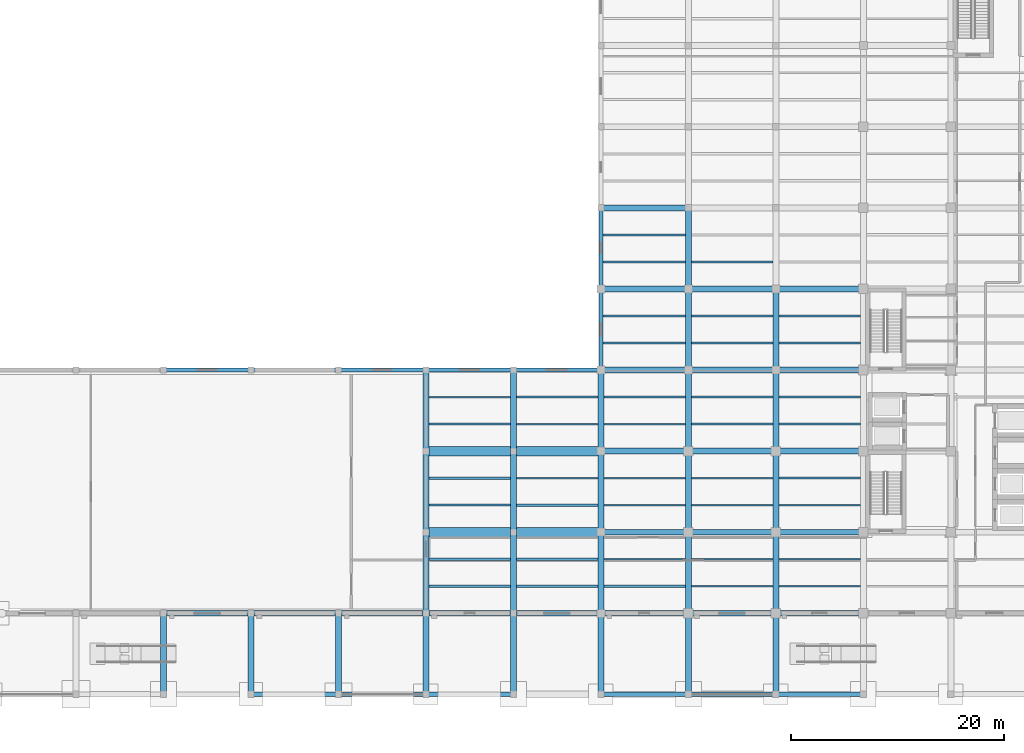
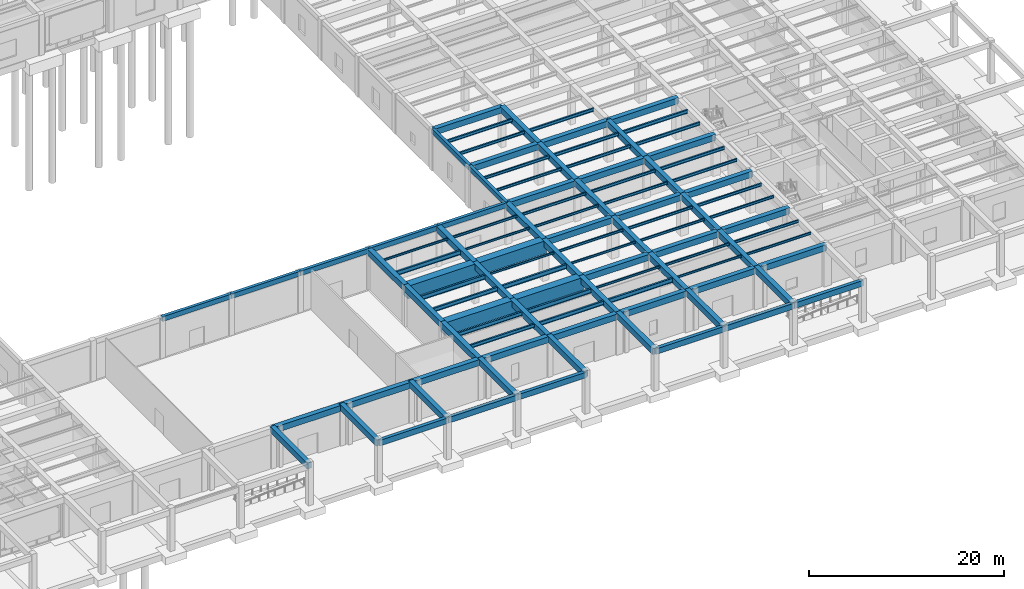
# One storey, part 18 of 64: 101 beams.
"""IFC4 building model written with IfcOpenShell, lengths in metres."""

from ifc_helpers import new_model, si_unit, direction, frame, origin, origin_2d, place, context, subcontext, project, spatial, rectangle, i_section, extrude, material, material_profile, profile_set, type_object, element, save


model = new_model("IFC4")

# Units and contexts
model_context = context("Model", 3, precision=1e-05, world=origin(), true_north=direction((0.0, 1.0)))
body_context = subcontext(model_context, "Body", "Model", "MODEL_VIEW")
ifc_project = project(units=[si_unit("LENGTHUNIT", "METRE"), si_unit("AREAUNIT", "SQUARE_METRE"), si_unit("VOLUMEUNIT", "CUBIC_METRE"), si_unit("PLANEANGLEUNIT", "RADIAN"), si_unit("MASSUNIT", "GRAM", prefix="KILO")], contexts=[model_context])

# Site, building, storey
site_placement = place(None, origin())
site = spatial("IfcSite", under=ifc_project, at=site_placement, CompositionType="ELEMENT")
building_placement = place(site_placement, origin())
building = spatial("IfcBuilding", under=site, at=building_placement, Name="Qandaris Square Conservatory and Botanical Centre", CompositionType="ELEMENT")
storey_placement = place(building_placement, origin())
storey = spatial("IfcBuildingStorey", under=building, at=storey_placement, Name="L00", CompositionType="ELEMENT", Elevation=0.0)

# Beams
ifc_material_1 = material(Name="Steel S355", Category="steel")
ifc_material_profile_1 = material_profile(ifc_material_1, i_section(OverallWidth=0.18994140625, OverallDepth=0.449951171875, WebThickness=0.009521484375, FlangeThickness=0.0146484375, FilletRadius=0.02099609375, at=origin_2d()), Name="IPE 450")
ifc_profile_set_1 = profile_set([ifc_material_profile_1], Name="Steel S355")
beam_type_1 = type_object("IfcBeamType", Name="Composite Archive Joist IPE 450", PredefinedType="JOIST", material=ifc_profile_set_1)
beam_1_placement = place(storey_placement, frame((98.47509765625, 19.13330078125, 4.864990234375), z_axis=(1.0, 0.0, 0.0), x_axis=(0.0, 1.0, 0.0)))
element("IfcBeam", 1, at=beam_1_placement, inside=storey, type_object=beam_type_1, Name="L00 Composite Joist 0741", PredefinedType="JOIST", context=body_context, shape_type="SweptSolid", body=[
    extrude(i_section(OverallWidth=0.18994140625, OverallDepth=0.449951171875, WebThickness=0.009521484375, FlangeThickness=0.0146484375, FilletRadius=0.02099609375, at=origin_2d()), origin(), (0.0, 0.0, 1.0), 7.64990234375),
])
beam_2_placement = place(storey_placement, frame((131.27490234375, 44.466796875, 4.864990234375), z_axis=(1.0, 0.0, 0.0), x_axis=(0.0, 1.0, 0.0)))
element("IfcBeam", 2, at=beam_2_placement, inside=storey, type_object=beam_type_1, Name="L00 Composite Joist 0820", PredefinedType="JOIST", context=body_context, shape_type="SweptSolid", body=[
    extrude(i_section(OverallWidth=0.18994140625, OverallDepth=0.449951171875, WebThickness=0.009521484375, FlangeThickness=0.0146484375, FilletRadius=0.02099609375, at=origin_2d()), origin(), (0.0, 0.0, 1.0), 7.650146484375),
])
ifc_material_profile_2 = material_profile(ifc_material_1, i_section(OverallWidth=0.199951171875, OverallDepth=0.5, WebThickness=0.01025390625, FlangeThickness=0.01611328125, FilletRadius=0.02099609375, at=origin_2d()), Name="IPE 500")
ifc_profile_set_2 = profile_set([ifc_material_profile_2], Name="Steel S355")
beam_type_2 = type_object("IfcBeamType", Name="Composite Gallery Joist IPE 500", PredefinedType="JOIST", material=ifc_profile_set_2)
for number, where, z_axis, x_axis, name in (
    (3, (98.47509765625, 21.666748046875, 4.840087890625), (1.0, 0.0, 0.0), (0.0, 1.0, 0.0), "L00 Composite Joist 0742"),
    (4, (98.47509765625, 26.7333984375, 4.840087890625), (1.0, 0.0, 0.0), (0.0, 1.0, 0.0), "L00 Composite Joist 0743"),
    (5, (106.675048828125, 19.13330078125, 4.840087890625), (1.0, 0.0, 0.0), (0.0, 1.0, 0.0), "L00 Composite Joist 0753"),
):
    element("IfcBeam", number, at=place(storey_placement, frame(where, z_axis=z_axis, x_axis=x_axis)), inside=storey, type_object=beam_type_2, Name=name, PredefinedType="JOIST", context=body_context, shape_type="SweptSolid", body=[
        extrude(i_section(OverallWidth=0.199951171875, OverallDepth=0.5, WebThickness=0.01025390625, FlangeThickness=0.01611328125, FilletRadius=0.02099609375, at=origin_2d()), origin(), (0.0, 0.0, 1.0), 7.64990234375),
    ])
ifc_material_profile_3 = material_profile(ifc_material_1, i_section(OverallWidth=0.14990234375, OverallDepth=0.300048828125, WebThickness=0.007080078125, FlangeThickness=0.0107421875, FilletRadius=0.014892578125, at=origin_2d()), Name="IPE 300")
ifc_profile_set_3 = profile_set([ifc_material_profile_3], Name="Steel S355")
beam_type_3 = type_object("IfcBeamType", Name="Composite Lab Joist IPE 300", PredefinedType="JOIST", material=ifc_profile_set_3)
for number, where, z_axis, x_axis, name in (
    (6, (106.675048828125, 36.86669921875, 4.93994140625), (1.0, 0.0, 0.0), (0.0, 1.0, 0.0), "L00 Composite Joist 0758"),
    (7, (114.875, 29.2666015625, 4.93994140625), (1.0, 0.0, 0.0), (0.0, 1.0, 0.0), "L00 Composite Joist 0768"),
    (8, (114.875, 34.333251953125, 4.93994140625), (1.0, 0.0, 0.0), (0.0, 1.0, 0.0), "L00 Composite Joist 0769"),
):
    element("IfcBeam", number, at=place(storey_placement, frame(where, z_axis=z_axis, x_axis=x_axis)), inside=storey, type_object=beam_type_3, Name=name, PredefinedType="JOIST", context=body_context, shape_type="SweptSolid", body=[
        extrude(i_section(OverallWidth=0.14990234375, OverallDepth=0.300048828125, WebThickness=0.007080078125, FlangeThickness=0.0107421875, FilletRadius=0.014892578125, at=origin_2d()), origin(), (0.0, 0.0, 1.0), 7.64990234375),
    ])
for number, where, z_axis, x_axis, name in (
    (9, (123.074951171875, 21.666748046875, 4.93994140625), (1.0, 0.0, 0.0), (0.0, 1.0, 0.0), "L00 Composite Joist 0790"),
    (10, (123.074951171875, 26.7333984375, 4.93994140625), (1.0, 0.0, 0.0), (0.0, 1.0, 0.0), "L00 Composite Joist 0791"),
    (11, (131.27490234375, 19.13330078125, 4.93994140625), (1.0, 0.0, 0.0), (0.0, 1.0, 0.0), "L00 Composite Joist 0813"),
):
    element("IfcBeam", number, at=place(storey_placement, frame(where, z_axis=z_axis, x_axis=x_axis)), inside=storey, type_object=beam_type_3, Name=name, PredefinedType="JOIST", context=body_context, shape_type="SweptSolid", body=[
        extrude(i_section(OverallWidth=0.14990234375, OverallDepth=0.300048828125, WebThickness=0.007080078125, FlangeThickness=0.0107421875, FilletRadius=0.014892578125, at=origin_2d()), origin(), (0.0, 0.0, 1.0), 7.650146484375),
    ])
ifc_material_profile_4 = material_profile(ifc_material_1, i_section(OverallWidth=0.159912109375, OverallDepth=0.330078125, WebThickness=0.007568359375, FlangeThickness=0.011474609375, FilletRadius=0.01806640625, at=origin_2d()), Name="IPE 330")
ifc_profile_set_4 = profile_set([ifc_material_profile_4], Name="Steel S355")
beam_type_4 = type_object("IfcBeamType", Name="Composite Lab Joist IPE 330", PredefinedType="JOIST", material=ifc_profile_set_4)
beam_3_placement = place(storey_placement, frame((114.875, 36.86669921875, 4.925048828125), z_axis=(1.0, 0.0, 0.0), x_axis=(0.0, 1.0, 0.0)))
element("IfcBeam", 12, at=beam_3_placement, inside=storey, type_object=beam_type_4, Name="L00 Composite Joist 0770", PredefinedType="JOIST", context=body_context, shape_type="SweptSolid", body=[
    extrude(i_section(OverallWidth=0.159912109375, OverallDepth=0.330078125, WebThickness=0.007568359375, FlangeThickness=0.011474609375, FilletRadius=0.01806640625, at=origin_2d()), origin(), (0.0, 0.0, 1.0), 7.64990234375),
])
beam_4_placement = place(storey_placement, frame((114.77490234375, 41.933349609375, 4.925048828125), z_axis=(1.0, 0.0, 0.0), x_axis=(0.0, 1.0, 0.0)))
element("IfcBeam", 13, at=beam_4_placement, inside=storey, type_object=beam_type_4, Name="L00 Composite Joist 0771", PredefinedType="JOIST", context=body_context, shape_type="SweptSolid", body=[
    extrude(i_section(OverallWidth=0.159912109375, OverallDepth=0.330078125, WebThickness=0.007568359375, FlangeThickness=0.011474609375, FilletRadius=0.01806640625, at=origin_2d()), origin(), (0.0, 0.0, 1.0), 7.75),
])
for number, where, z_axis, x_axis, name in (
    (14, (123.074951171875, 29.2666015625, 4.925048828125), (1.0, 0.0, 0.0), (0.0, 1.0, 0.0), "L00 Composite Joist 0792"),
    (15, (123.074951171875, 34.333251953125, 4.925048828125), (1.0, 0.0, 0.0), (0.0, 1.0, 0.0), "L00 Composite Joist 0793"),
    (16, (131.27490234375, 21.666748046875, 4.925048828125), (1.0, 0.0, 0.0), (0.0, 1.0, 0.0), "L00 Composite Joist 0814"),
    (17, (131.27490234375, 26.7333984375, 4.925048828125), (1.0, 0.0, 0.0), (0.0, 1.0, 0.0), "L00 Composite Joist 0815"),
):
    element("IfcBeam", number, at=place(storey_placement, frame(where, z_axis=z_axis, x_axis=x_axis)), inside=storey, type_object=beam_type_4, Name=name, PredefinedType="JOIST", context=body_context, shape_type="SweptSolid", body=[
        extrude(i_section(OverallWidth=0.159912109375, OverallDepth=0.330078125, WebThickness=0.007568359375, FlangeThickness=0.011474609375, FilletRadius=0.01806640625, at=origin_2d()), origin(), (0.0, 0.0, 1.0), 7.650146484375),
    ])
ifc_material_profile_5 = material_profile(ifc_material_1, i_section(OverallWidth=0.169921875, OverallDepth=0.360107421875, WebThickness=0.008056640625, FlangeThickness=0.0126953125, FilletRadius=0.01806640625, at=origin_2d()), Name="IPE 360")
ifc_profile_set_5 = profile_set([ifc_material_profile_5], Name="Steel S355")
beam_type_5 = type_object("IfcBeamType", Name="Composite Lab Joist IPE 360", PredefinedType="JOIST", material=ifc_profile_set_5)
for number, where, z_axis, x_axis, name in (
    (18, (114.77490234375, 44.466796875, 4.909912109375), (1.0, 0.0, 0.0), (0.0, 1.0, 0.0), "L00 Composite Joist 0772"),
    (19, (114.77490234375, 49.533203125, 4.909912109375), (1.0, 0.0, 0.0), (0.0, 1.0, 0.0), "L00 Composite Joist 0773"),
):
    element("IfcBeam", number, at=place(storey_placement, frame(where, z_axis=z_axis, x_axis=x_axis)), inside=storey, type_object=beam_type_5, Name=name, PredefinedType="JOIST", context=body_context, shape_type="SweptSolid", body=[
        extrude(i_section(OverallWidth=0.169921875, OverallDepth=0.360107421875, WebThickness=0.008056640625, FlangeThickness=0.0126953125, FilletRadius=0.01806640625, at=origin_2d()), origin(), (0.0, 0.0, 1.0), 7.75),
    ])
for number, where, z_axis, x_axis, name in (
    (20, (123.074951171875, 36.86669921875, 4.909912109375), (1.0, 0.0, 0.0), (0.0, 1.0, 0.0), "L00 Composite Joist 0794"),
    (21, (123.074951171875, 41.933349609375, 4.909912109375), (1.0, 0.0, 0.0), (0.0, 1.0, 0.0), "L00 Composite Joist 0795"),
    (22, (131.27490234375, 29.2666015625, 4.909912109375), (1.0, 0.0, 0.0), (0.0, 1.0, 0.0), "L00 Composite Joist 0816"),
    (23, (131.27490234375, 34.333251953125, 4.909912109375), (1.0, 0.0, 0.0), (0.0, 1.0, 0.0), "L00 Composite Joist 0817"),
):
    element("IfcBeam", number, at=place(storey_placement, frame(where, z_axis=z_axis, x_axis=x_axis)), inside=storey, type_object=beam_type_5, Name=name, PredefinedType="JOIST", context=body_context, shape_type="SweptSolid", body=[
        extrude(i_section(OverallWidth=0.169921875, OverallDepth=0.360107421875, WebThickness=0.008056640625, FlangeThickness=0.0126953125, FilletRadius=0.01806640625, at=origin_2d()), origin(), (0.0, 0.0, 1.0), 7.650146484375),
    ])
ifc_material_profile_6 = material_profile(ifc_material_1, i_section(OverallWidth=0.179931640625, OverallDepth=0.39990234375, WebThickness=0.008544921875, FlangeThickness=0.013427734375, FilletRadius=0.02099609375, at=origin_2d()), Name="IPE 400")
ifc_profile_set_6 = profile_set([ifc_material_profile_6], Name="Steel S355")
beam_type_6 = type_object("IfcBeamType", Name="Composite Plinth Joist IPE 400", PredefinedType="JOIST", material=ifc_profile_set_6)
beam_5_placement = place(storey_placement, frame((114.77490234375, 52.066650390625, 4.889892578125), z_axis=(1.0, 0.0, 0.0), x_axis=(0.0, 1.0, 0.0)))
element("IfcBeam", 24, at=beam_5_placement, inside=storey, type_object=beam_type_6, Name="L00 Composite Joist 0774", PredefinedType="JOIST", context=body_context, shape_type="SweptSolid", body=[
    extrude(i_section(OverallWidth=0.179931640625, OverallDepth=0.39990234375, WebThickness=0.008544921875, FlangeThickness=0.013427734375, FilletRadius=0.02099609375, at=origin_2d()), origin(), (0.0, 0.0, 1.0), 7.75),
])
for number, where, z_axis, x_axis, name in (
    (25, (123.074951171875, 44.466796875, 4.889892578125), (1.0, 0.0, 0.0), (0.0, 1.0, 0.0), "L00 Composite Joist 0796"),
    (26, (123.074951171875, 49.533203125, 4.889892578125), (1.0, 0.0, 0.0), (0.0, 1.0, 0.0), "L00 Composite Joist 0797"),
    (27, (131.27490234375, 36.86669921875, 4.889892578125), (1.0, 0.0, 0.0), (0.0, 1.0, 0.0), "L00 Composite Joist 0818"),
    (28, (131.27490234375, 41.933349609375, 4.889892578125), (1.0, 0.0, 0.0), (0.0, 1.0, 0.0), "L00 Composite Joist 0819"),
):
    element("IfcBeam", number, at=place(storey_placement, frame(where, z_axis=z_axis, x_axis=x_axis)), inside=storey, type_object=beam_type_6, Name=name, PredefinedType="JOIST", context=body_context, shape_type="SweptSolid", body=[
        extrude(i_section(OverallWidth=0.179931640625, OverallDepth=0.39990234375, WebThickness=0.008544921875, FlangeThickness=0.013427734375, FilletRadius=0.02099609375, at=origin_2d()), origin(), (0.0, 0.0, 1.0), 7.650146484375),
    ])
ifc_material_profile_7 = material_profile(ifc_material_1, i_section(OverallWidth=0.2099609375, OverallDepth=0.550048828125, WebThickness=0.010986328125, FlangeThickness=0.01708984375, FilletRadius=0.02392578125, at=origin_2d()), Name="IPE 550")
ifc_profile_set_7 = profile_set([ifc_material_profile_7], Name="Steel S355")
beam_type_7 = type_object("IfcBeamType", Name="Long-Span Foyer Joist IPE 550", PredefinedType="JOIST", material=ifc_profile_set_7)
for number, where, z_axis, x_axis, name in (
    (29, (98.47509765625, 29.2666015625, 4.81494140625), (1.0, 0.0, 0.0), (0.0, 1.0, 0.0), "L00 Composite Joist 0744"),
    (30, (98.47509765625, 34.333251953125, 4.81494140625), (1.0, 0.0, 0.0), (0.0, 1.0, 0.0), "L00 Composite Joist 0745"),
    (31, (106.675048828125, 21.666748046875, 4.81494140625), (1.0, 0.0, 0.0), (0.0, 1.0, 0.0), "L00 Composite Joist 0754"),
    (32, (106.675048828125, 26.7333984375, 4.81494140625), (1.0, 0.0, 0.0), (0.0, 1.0, 0.0), "L00 Composite Joist 0755"),
    (33, (114.875, 19.13330078125, 4.81494140625), (1.0, 0.0, 0.0), (0.0, 1.0, 0.0), "L00 Composite Joist 0765"),
):
    element("IfcBeam", number, at=place(storey_placement, frame(where, z_axis=z_axis, x_axis=x_axis)), inside=storey, type_object=beam_type_7, Name=name, PredefinedType="JOIST", context=body_context, shape_type="SweptSolid", body=[
        extrude(i_section(OverallWidth=0.2099609375, OverallDepth=0.550048828125, WebThickness=0.010986328125, FlangeThickness=0.01708984375, FilletRadius=0.02392578125, at=origin_2d()), origin(), (0.0, 0.0, 1.0), 7.64990234375),
    ])
ifc_material_2 = material(Name="Concrete C50/60", Category="concrete")
ifc_material_profile_8 = material_profile(ifc_material_2, rectangle(XDim=0.39990234375, YDim=0.699951171875, at=origin_2d()), Name="RC-SP 400x700")
ifc_profile_set_8 = profile_set([ifc_material_profile_8], Name="Concrete C50/60")
beam_type_8 = type_object("IfcBeamType", Name="RC Colonnade Spandrel Beam 400x700", PredefinedType="SPANDREL", material=ifc_profile_set_8)
for number, where, z_axis, x_axis, name in (
    (34, (81.800048828125, 9.0, 4.824951171875), (1.0, 0.0, 0.0), (0.0, 1.0, 0.0), "L00 Frame Beam 0325"),
    (35, (90.0, 9.0, 4.824951171875), (1.0, 0.0, 0.0), (0.0, 1.0, 0.0), "L00 Frame Beam 0326"),
    (36, (98.199951171875, 9.0, 4.824951171875), (1.0, 0.0, 0.0), (0.0, 1.0, 0.0), "L00 Frame Beam 0327"),
    (37, (114.60009765625, 9.0, 4.824951171875), (1.0, 0.0, 0.0), (0.0, 1.0, 0.0), "L00 Frame Beam 0328"),
    (38, (122.800048828125, 9.0, 4.824951171875), (1.0, 0.0, 0.0), (0.0, 1.0, 0.0), "L00 Frame Beam 0329"),
    (39, (131.0, 9.0, 4.824951171875), (1.0, 0.0, 0.0), (0.0, 1.0, 0.0), "L00 Frame Beam 0330"),
):
    element("IfcBeam", number, at=place(storey_placement, frame(where, z_axis=z_axis, x_axis=x_axis)), inside=storey, type_object=beam_type_8, Name=name, PredefinedType="SPANDREL", context=body_context, shape_type="SweptSolid", body=[
        extrude(rectangle(XDim=0.39990234375, YDim=0.699951171875, at=origin_2d()), origin(), (0.0, 0.0, 1.0), 8.199951171875),
    ])
ifc_material_profile_9 = material_profile(ifc_material_2, rectangle(XDim=0.35009765625, YDim=0.60009765625, at=origin_2d()), Name="RC-SP 350x600")
ifc_profile_set_9 = profile_set([ifc_material_profile_9], Name="Concrete C50/60")
beam_type_9 = type_object("IfcBeamType", Name="RC Edge Spandrel Beam 350x600", PredefinedType="SPANDREL", material=ifc_profile_set_9)
for number, where, z_axis, x_axis, name in (
    (40, (73.60009765625, 39.39990234375, 4.800048828125), (1.0, 0.0, 0.0), (0.0, 1.0, 0.0), "L00 Frame Beam 0380"),
    (41, (81.800048828125, 39.39990234375, 4.800048828125), (1.0, 0.0, 0.0), (0.0, 1.0, 0.0), "L00 Frame Beam 0381"),
    (42, (90.0, 39.39990234375, 4.800048828125), (1.0, 0.0, 0.0), (0.0, 1.0, 0.0), "L00 Frame Beam 0382"),
    (43, (98.199951171875, 39.39990234375, 4.800048828125), (1.0, 0.0, 0.0), (0.0, 1.0, 0.0), "L00 Frame Beam 0383"),
):
    element("IfcBeam", number, at=place(storey_placement, frame(where, z_axis=z_axis, x_axis=x_axis)), inside=storey, type_object=beam_type_9, Name=name, PredefinedType="SPANDREL", context=body_context, shape_type="SweptSolid", body=[
        extrude(rectangle(XDim=0.35009765625, YDim=0.60009765625, at=origin_2d()), origin(), (0.0, 0.0, 1.0), 8.199951171875),
    ])
beam_6_placement = place(storey_placement, frame((106.39990234375, 39.39990234375, 4.800048828125), z_axis=(1.0, 0.0, 0.0), x_axis=(0.0, 1.0, 0.0)))
element("IfcBeam", 44, at=beam_6_placement, inside=storey, type_object=beam_type_9, Name="L00 Frame Beam 0384", PredefinedType="SPANDREL", context=body_context, shape_type="SweptSolid", body=[
    extrude(rectangle(XDim=0.35009765625, YDim=0.60009765625, at=origin_2d()), origin(), (0.0, 0.0, 1.0), 8.2001953125),
])
for number, where, z_axis, x_axis, name in (
    (45, (114.60009765625, 39.39990234375, 4.800048828125), (0.0, 1.0, 0.0), (-1.0, 0.0, 0.0), "L00 Frame Beam 0593"),
    (46, (114.60009765625, 47.0, 4.800048828125), (0.0, 1.0, 0.0), (-1.0, 0.0, 0.0), "L00 Frame Beam 0594"),
):
    element("IfcBeam", number, at=place(storey_placement, frame(where, z_axis=z_axis, x_axis=x_axis)), inside=storey, type_object=beam_type_9, Name=name, PredefinedType="SPANDREL", context=body_context, shape_type="SweptSolid", body=[
        extrude(rectangle(XDim=0.35009765625, YDim=0.60009765625, at=origin_2d()), origin(), (0.0, 0.0, 1.0), 7.60009765625),
    ])
ifc_material_profile_10 = material_profile(ifc_material_2, rectangle(XDim=0.550048828125, YDim=0.75, at=origin_2d()), Name="RC-BM 550x750")
ifc_profile_set_10 = profile_set([ifc_material_profile_10], Name="Concrete C50/60")
beam_type_10 = type_object("IfcBeamType", Name="RC Plinth Girder 550x750", PredefinedType="BEAM", material=ifc_profile_set_10)
for number, where, z_axis, x_axis, name in (
    (47, (73.60009765625, 16.60009765625, 4.72509765625), (1.0, 0.0, 0.0), (0.0, 1.0, 0.0), "L00 Frame Beam 0342"),
    (48, (81.800048828125, 16.60009765625, 4.72509765625), (1.0, 0.0, 0.0), (0.0, 1.0, 0.0), "L00 Frame Beam 0343"),
    (49, (90.0, 16.60009765625, 4.72509765625), (1.0, 0.0, 0.0), (0.0, 1.0, 0.0), "L00 Frame Beam 0344"),
    (50, (98.199951171875, 16.60009765625, 4.72509765625), (1.0, 0.0, 0.0), (0.0, 1.0, 0.0), "L00 Frame Beam 0345"),
):
    element("IfcBeam", number, at=place(storey_placement, frame(where, z_axis=z_axis, x_axis=x_axis)), inside=storey, type_object=beam_type_10, Name=name, PredefinedType="BEAM", context=body_context, shape_type="SweptSolid", body=[
        extrude(rectangle(XDim=0.550048828125, YDim=0.75, at=origin_2d()), origin(), (0.0, 0.0, 1.0), 8.199951171875),
    ])
beam_7_placement = place(storey_placement, frame((106.39990234375, 16.60009765625, 4.72509765625), z_axis=(1.0, 0.0, 0.0), x_axis=(0.0, 1.0, 0.0)))
element("IfcBeam", 51, at=beam_7_placement, inside=storey, type_object=beam_type_10, Name="L00 Frame Beam 0346", PredefinedType="BEAM", context=body_context, shape_type="SweptSolid", body=[
    extrude(rectangle(XDim=0.550048828125, YDim=0.75, at=origin_2d()), origin(), (0.0, 0.0, 1.0), 8.2001953125),
])
for number, where, z_axis, x_axis, name in (
    (52, (114.60009765625, 16.60009765625, 4.72509765625), (1.0, 0.0, 0.0), (0.0, 1.0, 0.0), "L00 Frame Beam 0347"),
    (53, (122.800048828125, 16.60009765625, 4.72509765625), (1.0, 0.0, 0.0), (0.0, 1.0, 0.0), "L00 Frame Beam 0348"),
    (54, (131.0, 16.60009765625, 4.72509765625), (1.0, 0.0, 0.0), (0.0, 1.0, 0.0), "L00 Frame Beam 0349"),
    (55, (114.60009765625, 24.199951171875, 4.72509765625), (1.0, 0.0, 0.0), (0.0, 1.0, 0.0), "L00 Frame Beam 0358"),
    (56, (122.800048828125, 24.199951171875, 4.72509765625), (1.0, 0.0, 0.0), (0.0, 1.0, 0.0), "L00 Frame Beam 0359"),
    (57, (131.0, 24.199951171875, 4.72509765625), (1.0, 0.0, 0.0), (0.0, 1.0, 0.0), "L00 Frame Beam 0360"),
    (58, (114.60009765625, 31.800048828125, 4.72509765625), (1.0, 0.0, 0.0), (0.0, 1.0, 0.0), "L00 Frame Beam 0369"),
    (59, (122.800048828125, 31.800048828125, 4.72509765625), (1.0, 0.0, 0.0), (0.0, 1.0, 0.0), "L00 Frame Beam 0370"),
    (60, (131.0, 31.800048828125, 4.72509765625), (1.0, 0.0, 0.0), (0.0, 1.0, 0.0), "L00 Frame Beam 0371"),
    (61, (114.60009765625, 39.39990234375, 4.72509765625), (1.0, 0.0, 0.0), (0.0, 1.0, 0.0), "L00 Frame Beam 0385"),
    (62, (122.800048828125, 39.39990234375, 4.72509765625), (1.0, 0.0, 0.0), (0.0, 1.0, 0.0), "L00 Frame Beam 0386"),
    (63, (131.0, 39.39990234375, 4.72509765625), (1.0, 0.0, 0.0), (0.0, 1.0, 0.0), "L00 Frame Beam 0387"),
    (64, (114.60009765625, 47.0, 4.72509765625), (1.0, 0.0, 0.0), (0.0, 1.0, 0.0), "L00 Frame Beam 0396"),
    (65, (122.800048828125, 47.0, 4.72509765625), (1.0, 0.0, 0.0), (0.0, 1.0, 0.0), "L00 Frame Beam 0397"),
    (66, (131.0, 47.0, 4.72509765625), (1.0, 0.0, 0.0), (0.0, 1.0, 0.0), "L00 Frame Beam 0398"),
    (67, (114.60009765625, 54.60009765625, 4.72509765625), (1.0, 0.0, 0.0), (0.0, 1.0, 0.0), "L00 Frame Beam 0404"),
):
    element("IfcBeam", number, at=place(storey_placement, frame(where, z_axis=z_axis, x_axis=x_axis)), inside=storey, type_object=beam_type_10, Name=name, PredefinedType="BEAM", context=body_context, shape_type="SweptSolid", body=[
        extrude(rectangle(XDim=0.550048828125, YDim=0.75, at=origin_2d()), origin(), (0.0, 0.0, 1.0), 8.199951171875),
    ])
for number, where, z_axis, x_axis, name in (
    (68, (73.60009765625, 9.0, 4.800048828125), (0.0, 1.0, 0.0), (-1.0, 0.0, 0.0), "L00 Frame Beam 0563"),
    (69, (81.800048828125, 9.0, 4.800048828125), (0.0, 1.0, 0.0), (-1.0, 0.0, 0.0), "L00 Frame Beam 0567"),
    (70, (90.0, 9.0, 4.800048828125), (0.0, 1.0, 0.0), (-1.0, 0.0, 0.0), "L00 Frame Beam 0571"),
    (71, (98.199951171875, 9.0, 4.800048828125), (0.0, 1.0, 0.0), (-1.0, 0.0, 0.0), "L00 Frame Beam 0575"),
):
    element("IfcBeam", number, at=place(storey_placement, frame(where, z_axis=z_axis, x_axis=x_axis)), inside=storey, type_object=beam_type_10, Name=name, PredefinedType="BEAM", context=body_context, shape_type="SweptSolid", body=[
        extrude(rectangle(XDim=0.550048828125, YDim=0.75, at=origin_2d()), origin(), (0.0, 0.0, 1.0), 7.60009765625),
    ])
beam_8_placement = place(storey_placement, frame((98.199951171875, 16.60009765625, 4.72509765625), z_axis=(0.0, 1.0, 0.0), x_axis=(-1.0, 0.0, 0.0)))
element("IfcBeam", 72, at=beam_8_placement, inside=storey, type_object=beam_type_10, Name="L00 Frame Beam 0576", PredefinedType="BEAM", context=body_context, shape_type="SweptSolid", body=[
    extrude(rectangle(XDim=0.550048828125, YDim=0.75, at=origin_2d()), origin(), (0.0, 0.0, 1.0), 7.599853515625),
])
beam_9_placement = place(storey_placement, frame((98.199951171875, 24.199951171875, 4.72509765625), z_axis=(0.0, 1.0, 0.0), x_axis=(-1.0, 0.0, 0.0)))
element("IfcBeam", 73, at=beam_9_placement, inside=storey, type_object=beam_type_10, Name="L00 Frame Beam 0577", PredefinedType="BEAM", context=body_context, shape_type="SweptSolid", body=[
    extrude(rectangle(XDim=0.550048828125, YDim=0.75, at=origin_2d()), origin(), (0.0, 0.0, 1.0), 7.60009765625),
])
beam_10_placement = place(storey_placement, frame((98.199951171875, 31.800048828125, 4.72509765625), z_axis=(0.0, 1.0, 0.0), x_axis=(-1.0, 0.0, 0.0)))
element("IfcBeam", 74, at=beam_10_placement, inside=storey, type_object=beam_type_10, Name="L00 Frame Beam 0578", PredefinedType="BEAM", context=body_context, shape_type="SweptSolid", body=[
    extrude(rectangle(XDim=0.550048828125, YDim=0.75, at=origin_2d()), origin(), (0.0, 0.0, 1.0), 7.599853515625),
])
beam_11_placement = place(storey_placement, frame((106.39990234375, 9.0, 4.800048828125), z_axis=(0.0, 1.0, 0.0), x_axis=(-1.0, 0.0, 0.0)))
element("IfcBeam", 75, at=beam_11_placement, inside=storey, type_object=beam_type_10, Name="L00 Frame Beam 0582", PredefinedType="BEAM", context=body_context, shape_type="SweptSolid", body=[
    extrude(rectangle(XDim=0.550048828125, YDim=0.75, at=origin_2d()), origin(), (0.0, 0.0, 1.0), 7.60009765625),
])
beam_12_placement = place(storey_placement, frame((106.39990234375, 16.60009765625, 4.72509765625), z_axis=(0.0, 1.0, 0.0), x_axis=(-1.0, 0.0, 0.0)))
element("IfcBeam", 76, at=beam_12_placement, inside=storey, type_object=beam_type_10, Name="L00 Frame Beam 0583", PredefinedType="BEAM", context=body_context, shape_type="SweptSolid", body=[
    extrude(rectangle(XDim=0.550048828125, YDim=0.75, at=origin_2d()), origin(), (0.0, 0.0, 1.0), 7.599853515625),
])
beam_13_placement = place(storey_placement, frame((106.39990234375, 24.199951171875, 4.72509765625), z_axis=(0.0, 1.0, 0.0), x_axis=(-1.0, 0.0, 0.0)))
element("IfcBeam", 77, at=beam_13_placement, inside=storey, type_object=beam_type_10, Name="L00 Frame Beam 0584", PredefinedType="BEAM", context=body_context, shape_type="SweptSolid", body=[
    extrude(rectangle(XDim=0.550048828125, YDim=0.75, at=origin_2d()), origin(), (0.0, 0.0, 1.0), 7.60009765625),
])
beam_14_placement = place(storey_placement, frame((106.39990234375, 31.800048828125, 4.72509765625), z_axis=(0.0, 1.0, 0.0), x_axis=(-1.0, 0.0, 0.0)))
element("IfcBeam", 78, at=beam_14_placement, inside=storey, type_object=beam_type_10, Name="L00 Frame Beam 0585", PredefinedType="BEAM", context=body_context, shape_type="SweptSolid", body=[
    extrude(rectangle(XDim=0.550048828125, YDim=0.75, at=origin_2d()), origin(), (0.0, 0.0, 1.0), 7.599853515625),
])
beam_15_placement = place(storey_placement, frame((114.60009765625, 9.0, 4.800048828125), z_axis=(0.0, 1.0, 0.0), x_axis=(-1.0, 0.0, 0.0)))
element("IfcBeam", 79, at=beam_15_placement, inside=storey, type_object=beam_type_10, Name="L00 Frame Beam 0589", PredefinedType="BEAM", context=body_context, shape_type="SweptSolid", body=[
    extrude(rectangle(XDim=0.550048828125, YDim=0.75, at=origin_2d()), origin(), (0.0, 0.0, 1.0), 7.60009765625),
])
beam_16_placement = place(storey_placement, frame((114.60009765625, 16.60009765625, 4.72509765625), z_axis=(0.0, 1.0, 0.0), x_axis=(-1.0, 0.0, 0.0)))
element("IfcBeam", 80, at=beam_16_placement, inside=storey, type_object=beam_type_10, Name="L00 Frame Beam 0590", PredefinedType="BEAM", context=body_context, shape_type="SweptSolid", body=[
    extrude(rectangle(XDim=0.550048828125, YDim=0.75, at=origin_2d()), origin(), (0.0, 0.0, 1.0), 7.599853515625),
])
beam_17_placement = place(storey_placement, frame((114.60009765625, 24.199951171875, 4.72509765625), z_axis=(0.0, 1.0, 0.0), x_axis=(-1.0, 0.0, 0.0)))
element("IfcBeam", 81, at=beam_17_placement, inside=storey, type_object=beam_type_10, Name="L00 Frame Beam 0591", PredefinedType="BEAM", context=body_context, shape_type="SweptSolid", body=[
    extrude(rectangle(XDim=0.550048828125, YDim=0.75, at=origin_2d()), origin(), (0.0, 0.0, 1.0), 7.60009765625),
])
beam_18_placement = place(storey_placement, frame((114.60009765625, 31.800048828125, 4.72509765625), z_axis=(0.0, 1.0, 0.0), x_axis=(-1.0, 0.0, 0.0)))
element("IfcBeam", 82, at=beam_18_placement, inside=storey, type_object=beam_type_10, Name="L00 Frame Beam 0592", PredefinedType="BEAM", context=body_context, shape_type="SweptSolid", body=[
    extrude(rectangle(XDim=0.550048828125, YDim=0.75, at=origin_2d()), origin(), (0.0, 0.0, 1.0), 7.599853515625),
])
beam_19_placement = place(storey_placement, frame((122.800048828125, 9.0, 4.800048828125), z_axis=(0.0, 1.0, 0.0), x_axis=(-1.0, 0.0, 0.0)))
element("IfcBeam", 83, at=beam_19_placement, inside=storey, type_object=beam_type_10, Name="L00 Frame Beam 0603", PredefinedType="BEAM", context=body_context, shape_type="SweptSolid", body=[
    extrude(rectangle(XDim=0.550048828125, YDim=0.75, at=origin_2d()), origin(), (0.0, 0.0, 1.0), 7.60009765625),
])
beam_20_placement = place(storey_placement, frame((122.800048828125, 16.60009765625, 4.72509765625), z_axis=(0.0, 1.0, 0.0), x_axis=(-1.0, 0.0, 0.0)))
element("IfcBeam", 84, at=beam_20_placement, inside=storey, type_object=beam_type_10, Name="L00 Frame Beam 0604", PredefinedType="BEAM", context=body_context, shape_type="SweptSolid", body=[
    extrude(rectangle(XDim=0.550048828125, YDim=0.75, at=origin_2d()), origin(), (0.0, 0.0, 1.0), 7.599853515625),
])
beam_21_placement = place(storey_placement, frame((122.800048828125, 24.199951171875, 4.72509765625), z_axis=(0.0, 1.0, 0.0), x_axis=(-1.0, 0.0, 0.0)))
element("IfcBeam", 85, at=beam_21_placement, inside=storey, type_object=beam_type_10, Name="L00 Frame Beam 0605", PredefinedType="BEAM", context=body_context, shape_type="SweptSolid", body=[
    extrude(rectangle(XDim=0.550048828125, YDim=0.75, at=origin_2d()), origin(), (0.0, 0.0, 1.0), 7.60009765625),
])
beam_22_placement = place(storey_placement, frame((122.800048828125, 31.800048828125, 4.72509765625), z_axis=(0.0, 1.0, 0.0), x_axis=(-1.0, 0.0, 0.0)))
element("IfcBeam", 86, at=beam_22_placement, inside=storey, type_object=beam_type_10, Name="L00 Frame Beam 0606", PredefinedType="BEAM", context=body_context, shape_type="SweptSolid", body=[
    extrude(rectangle(XDim=0.550048828125, YDim=0.75, at=origin_2d()), origin(), (0.0, 0.0, 1.0), 7.599853515625),
])
for number, where, z_axis, x_axis, name in (
    (87, (122.800048828125, 39.39990234375, 4.72509765625), (0.0, 1.0, 0.0), (-1.0, 0.0, 0.0), "L00 Frame Beam 0607"),
    (88, (122.800048828125, 47.0, 4.72509765625), (0.0, 1.0, 0.0), (-1.0, 0.0, 0.0), "L00 Frame Beam 0608"),
    (89, (131.0, 9.0, 4.800048828125), (0.0, 1.0, 0.0), (-1.0, 0.0, 0.0), "L00 Frame Beam 0617"),
):
    element("IfcBeam", number, at=place(storey_placement, frame(where, z_axis=z_axis, x_axis=x_axis)), inside=storey, type_object=beam_type_10, Name=name, PredefinedType="BEAM", context=body_context, shape_type="SweptSolid", body=[
        extrude(rectangle(XDim=0.550048828125, YDim=0.75, at=origin_2d()), origin(), (0.0, 0.0, 1.0), 7.60009765625),
    ])
beam_23_placement = place(storey_placement, frame((131.0, 16.60009765625, 4.72509765625), z_axis=(0.0, 1.0, 0.0), x_axis=(-1.0, 0.0, 0.0)))
element("IfcBeam", 90, at=beam_23_placement, inside=storey, type_object=beam_type_10, Name="L00 Frame Beam 0618", PredefinedType="BEAM", context=body_context, shape_type="SweptSolid", body=[
    extrude(rectangle(XDim=0.550048828125, YDim=0.75, at=origin_2d()), origin(), (0.0, 0.0, 1.0), 7.599853515625),
])
beam_24_placement = place(storey_placement, frame((131.0, 24.199951171875, 4.72509765625), z_axis=(0.0, 1.0, 0.0), x_axis=(-1.0, 0.0, 0.0)))
element("IfcBeam", 91, at=beam_24_placement, inside=storey, type_object=beam_type_10, Name="L00 Frame Beam 0619", PredefinedType="BEAM", context=body_context, shape_type="SweptSolid", body=[
    extrude(rectangle(XDim=0.550048828125, YDim=0.75, at=origin_2d()), origin(), (0.0, 0.0, 1.0), 7.60009765625),
])
beam_25_placement = place(storey_placement, frame((131.0, 31.800048828125, 4.72509765625), z_axis=(0.0, 1.0, 0.0), x_axis=(-1.0, 0.0, 0.0)))
element("IfcBeam", 92, at=beam_25_placement, inside=storey, type_object=beam_type_10, Name="L00 Frame Beam 0620", PredefinedType="BEAM", context=body_context, shape_type="SweptSolid", body=[
    extrude(rectangle(XDim=0.550048828125, YDim=0.75, at=origin_2d()), origin(), (0.0, 0.0, 1.0), 7.599853515625),
])
beam_26_placement = place(storey_placement, frame((131.0, 39.39990234375, 4.72509765625), z_axis=(0.0, 1.0, 0.0), x_axis=(-1.0, 0.0, 0.0)))
element("IfcBeam", 93, at=beam_26_placement, inside=storey, type_object=beam_type_10, Name="L00 Frame Beam 0621", PredefinedType="BEAM", context=body_context, shape_type="SweptSolid", body=[
    extrude(rectangle(XDim=0.550048828125, YDim=0.75, at=origin_2d()), origin(), (0.0, 0.0, 1.0), 7.60009765625),
])
ifc_material_profile_11 = material_profile(ifc_material_1, i_section(OverallWidth=0.135009765625, OverallDepth=0.27001953125, WebThickness=0.006591796875, FlangeThickness=0.01025390625, FilletRadius=0.014892578125, at=origin_2d()), Name="IPE 270")
ifc_profile_set_11 = profile_set([ifc_material_profile_11], Name="Steel S355")
beam_type_11 = type_object("IfcBeamType", Name="Steel Floor Joist IPE 270", PredefinedType="JOIST", material=ifc_profile_set_11)
for number, where, z_axis, x_axis, name in (
    (94, (98.47509765625, 36.86669921875, 4.955078125), (1.0, 0.0, 0.0), (0.0, 1.0, 0.0), "L00 Composite Joist 0746"),
    (95, (106.675048828125, 29.2666015625, 4.955078125), (1.0, 0.0, 0.0), (0.0, 1.0, 0.0), "L00 Composite Joist 0756"),
    (96, (106.675048828125, 34.333251953125, 4.955078125), (1.0, 0.0, 0.0), (0.0, 1.0, 0.0), "L00 Composite Joist 0757"),
    (97, (114.875, 21.666748046875, 4.955078125), (1.0, 0.0, 0.0), (0.0, 1.0, 0.0), "L00 Composite Joist 0766"),
    (98, (114.875, 26.7333984375, 4.955078125), (1.0, 0.0, 0.0), (0.0, 1.0, 0.0), "L00 Composite Joist 0767"),
):
    element("IfcBeam", number, at=place(storey_placement, frame(where, z_axis=z_axis, x_axis=x_axis)), inside=storey, type_object=beam_type_11, Name=name, PredefinedType="JOIST", context=body_context, shape_type="SweptSolid", body=[
        extrude(i_section(OverallWidth=0.135009765625, OverallDepth=0.27001953125, WebThickness=0.006591796875, FlangeThickness=0.01025390625, FilletRadius=0.014892578125, at=origin_2d()), origin(), (0.0, 0.0, 1.0), 7.64990234375),
    ])
beam_27_placement = place(storey_placement, frame((123.074951171875, 19.13330078125, 4.955078125), z_axis=(1.0, 0.0, 0.0), x_axis=(0.0, 1.0, 0.0)))
element("IfcBeam", 99, at=beam_27_placement, inside=storey, type_object=beam_type_11, Name="L00 Composite Joist 0789", PredefinedType="JOIST", context=body_context, shape_type="SweptSolid", body=[
    extrude(i_section(OverallWidth=0.135009765625, OverallDepth=0.27001953125, WebThickness=0.006591796875, FlangeThickness=0.01025390625, FilletRadius=0.014892578125, at=origin_2d()), origin(), (0.0, 0.0, 1.0), 7.650146484375),
])
ifc_material_profile_12 = material_profile(ifc_material_2, rectangle(XDim=0.89990234375, YDim=1.60009765625, at=origin_2d()), Name="RC-TG 900x1600")
ifc_profile_set_12 = profile_set([ifc_material_profile_12], Name="Concrete C50/60")
beam_type_12 = type_object("IfcBeamType", Name="Transfer Girder TG1 900x1600", PredefinedType="BEAM", material=ifc_profile_set_12)
for number, where, z_axis, x_axis, name in (
    (100, (98.199951171875, 24.199951171875, 4.300048828125), (1.0, 0.0, 0.0), (0.0, 1.0, 0.0), "Transfer Girder TG1-01"),
    (101, (98.199951171875, 31.800048828125, 4.300048828125), (1.0, 0.0, 0.0), (0.0, 1.0, 0.0), "Transfer Girder TG1-02"),
):
    element("IfcBeam", number, at=place(storey_placement, frame(where, z_axis=z_axis, x_axis=x_axis)), inside=storey, type_object=beam_type_12, Name=name, PredefinedType="BEAM", context=body_context, shape_type="SweptSolid", body=[
        extrude(rectangle(XDim=0.89990234375, YDim=1.60009765625, at=origin_2d()), origin(), (0.0, 0.0, 1.0), 16.400146484375),
    ])

save(model, "model.ifc")
